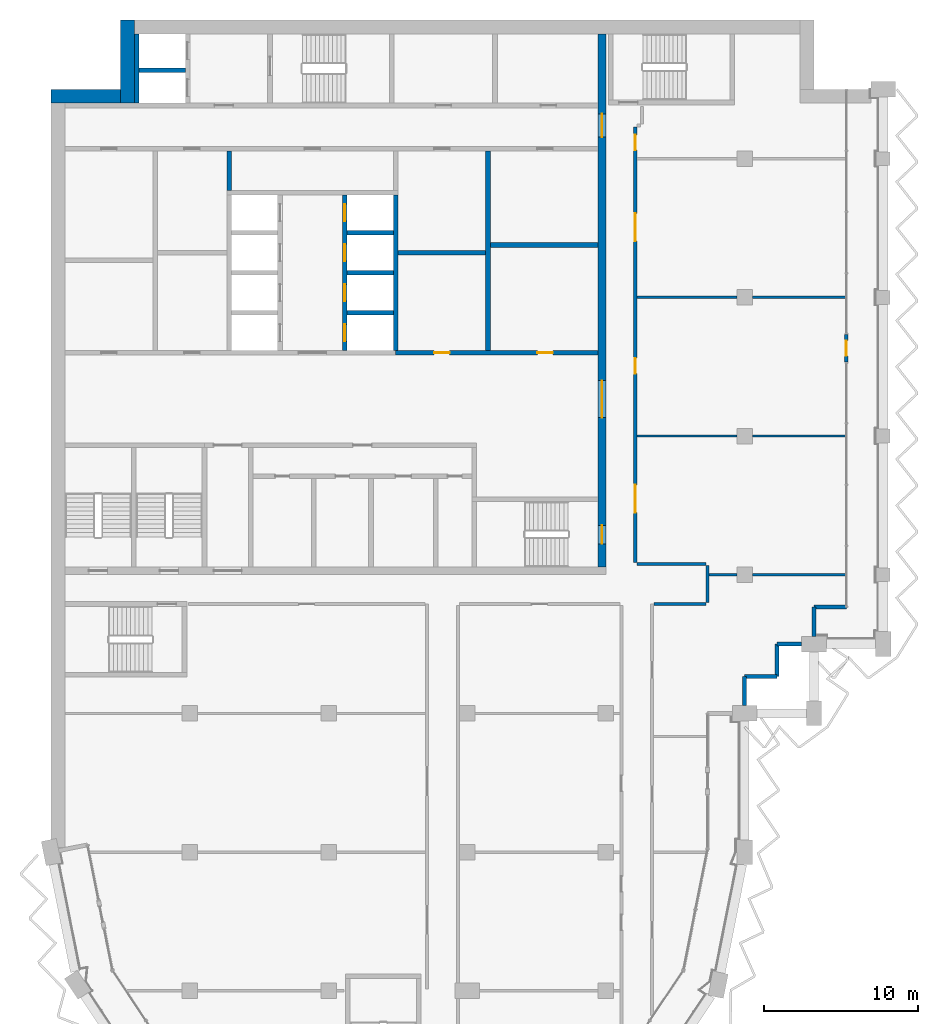
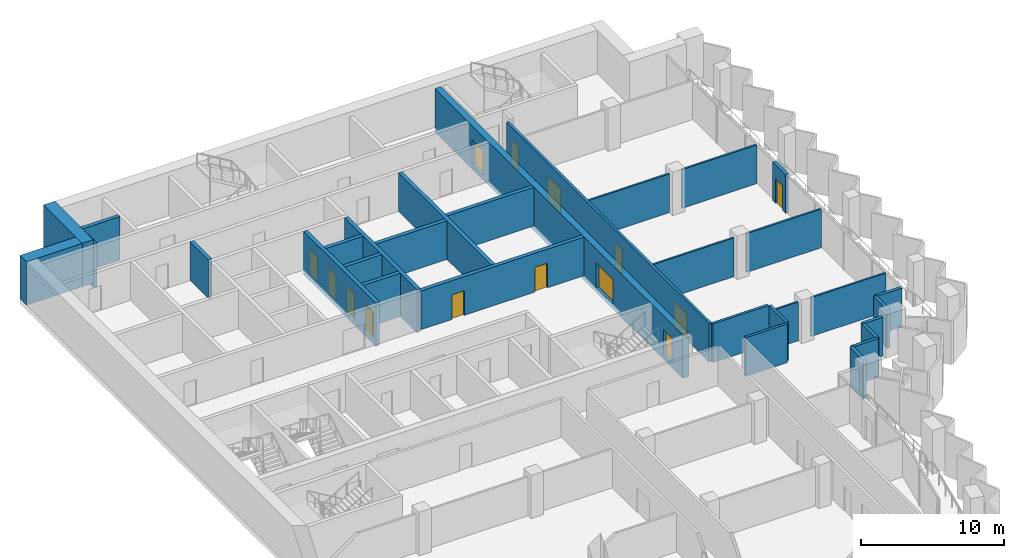
# One storey, part 9 of 16: 32 walls, 14 doors, 14 openings.
"""IFC4 building model written with IfcOpenShell, lengths in metres."""

import ifcopenshell
import ifcopenshell.guid

model = None  # the IFC model being written
_history = None  # IfcOwnerHistory: only IFC2X3 demands one
_inside = {}  # id of a spatial element -> (the spatial element, [elements in it])
_under = {}  # id of a project, library or spatial element -> (it, [spatial elements below it])
_declared = {}  # id of a project -> (the project, [libraries it declares])
_typed = {}  # id of a type object -> (the type object, [elements of that type])
_made_of = {}  # id of a material, layer set ... -> (it, [elements and type objects made of it])


def new_model(schema):
    """Start an empty IFC model of exactly this schema.

    Asked for "IFC4X3", IfcOpenShell would pick the latest addendum, in which some entities
    have other attributes; the version numbers below select the first issue.
    IFC2X3 requires an IfcOwnerHistory on every rooted entity: one is made here for all.
    """
    global model, _history
    if schema == "IFC4X3":
        model = ifcopenshell.file(schema_version=(4, 3, 0, 0))
    else:
        model = ifcopenshell.file(schema=schema)
    _inside.clear()
    _under.clear()
    _declared.clear()
    _typed.clear()
    _made_of.clear()
    _history = None
    if model.schema == "IFC2X3":
        org = make("IfcOrganization", Name="unknown")
        user = make(
            "IfcPersonAndOrganization",
            ThePerson=make("IfcPerson", FamilyName="unknown"),
            TheOrganization=org,
        )
        app = make(
            "IfcApplication",
            ApplicationDeveloper=org,
            Version="unknown",
            ApplicationFullName="unknown",
            ApplicationIdentifier="unknown",
        )
        _history = make(
            "IfcOwnerHistory",
            OwningUser=user,
            OwningApplication=app,
            ChangeAction="ADDED",
            CreationDate=0,
        )
    return model


def make(cls, **values):
    """One entity of the class cls with the attributes given. An attribute that is None is left unset."""
    return model.create_entity(
        cls, **{name: value for name, value in values.items() if value is not None}
    )


def rooted(cls, **values):
    """An entity with a GlobalId (a new one), such as an element, a storey or a relation."""
    return make(cls, GlobalId=ifcopenshell.guid.new(), OwnerHistory=_history, **values)


def si_unit(unit_type, name, prefix=None):
    """IfcSIUnit, for example si_unit("LENGTHUNIT", "METRE", prefix="MILLI")."""
    return make("IfcSIUnit", UnitType=unit_type, Prefix=prefix, Name=name)


def assignment(units):
    """IfcUnitAssignment: the units of a project."""
    return None if units is None else make("IfcUnitAssignment", Units=units)


def point(xyz):
    """IfcCartesianPoint."""
    return None if xyz is None else make("IfcCartesianPoint", Coordinates=xyz)


def direction(xyz):
    """IfcDirection."""
    return None if xyz is None else make("IfcDirection", DirectionRatios=xyz)


def frame(location, z_axis=None, x_axis=None):
    """IfcAxis2Placement3D, a coordinate frame: its origin and axes. An axis left out is left unset."""
    return make(
        "IfcAxis2Placement3D",
        Location=point(location),
        Axis=direction(z_axis),
        RefDirection=direction(x_axis),
    )


def frame_2d(location, x_axis=None):
    """IfcAxis2Placement2D, a coordinate frame in the plane: its origin and x axis."""
    return make(
        "IfcAxis2Placement2D", Location=point(location), RefDirection=direction(x_axis)
    )


def origin():
    """The frame at (0, 0, 0) with its axes left unset."""
    return frame((0.0, 0.0, 0.0))


def place(relative_to, where):
    """IfcLocalPlacement: puts the frame where relative to a parent placement (None: the world)."""
    return make(
        "IfcLocalPlacement", PlacementRelTo=relative_to, RelativePlacement=where
    )


def context(
    kind, dimensions, precision=None, world=None, true_north=None, identifier=None
):
    """IfcGeometricRepresentationContext, for example the 3D "Model" context."""
    return make(
        "IfcGeometricRepresentationContext",
        ContextIdentifier=identifier,
        ContextType=kind,
        CoordinateSpaceDimension=dimensions,
        Precision=precision,
        WorldCoordinateSystem=world,
        TrueNorth=true_north,
    )


def subcontext(parent, identifier, kind, view, scale=None):
    """IfcGeometricRepresentationSubContext, for example "Body" below "Model"."""
    return make(
        "IfcGeometricRepresentationSubContext",
        ContextIdentifier=identifier,
        ContextType=kind,
        ParentContext=parent,
        TargetScale=scale,
        TargetView=view,
    )


def project(units=None, contexts=None):
    """IfcProject with its units and contexts."""
    return rooted(
        "IfcProject",
        Name="project",
        RepresentationContexts=contexts,
        UnitsInContext=assignment(units),
    )


def spatial(cls, under=None, at=None, **own):
    """A site, building, storey or space (cls), placed at a placement, below another one or the project."""
    s = rooted(cls, ObjectPlacement=at, **own)
    if under is not None:
        _under.setdefault(under.id(), (under, []))[1].append(s)
    return s


def profile(cls, at=None, kind="AREA", **sizes):
    """A parametric profile (cls). Its sizes go by their IFC names, for example OverallWidth=200.0."""
    return make(cls, ProfileType=kind, Position=at, **sizes)


def rectangle(**sizes):
    """IfcRectangleProfileDef."""
    return profile("IfcRectangleProfileDef", **sizes)


def extrude(swept, where, along, depth):
    """IfcExtrudedAreaSolid: the profile swept, set in the frame where, extruded along a direction by depth."""
    return make(
        "IfcExtrudedAreaSolid",
        SweptArea=swept,
        Position=where,
        ExtrudedDirection=direction(along),
        Depth=depth,
    )


def shape(context_of_items, identifier, shape_type, items):
    """IfcShapeRepresentation: the items that make up one representation, for example the "Body"."""
    return make(
        "IfcShapeRepresentation",
        ContextOfItems=context_of_items,
        RepresentationIdentifier=identifier,
        RepresentationType=shape_type,
        Items=items,
    )


def material(Name=None, Category=None):
    """IfcMaterial."""
    return make("IfcMaterial", Name=Name, Category=Category)


def layer(
    of_material, thickness, ventilated=None, Name=None, Category=None, Priority=None
):
    """IfcMaterialLayer: one layer of a wall or slab, of a material (None: an air gap)."""
    return make(
        "IfcMaterialLayer",
        Material=of_material,
        LayerThickness=thickness,
        IsVentilated=ventilated,
        Name=Name,
        Category=Category,
        Priority=Priority,
    )


def layer_set(layers, Name=None):
    """IfcMaterialLayerSet."""
    return make("IfcMaterialLayerSet", MaterialLayers=layers, LayerSetName=Name)


def made_of(thing, what):
    """Note that an element or type object is made of a material, layer set ...; save() writes the relation."""
    if what is not None:
        _made_of.setdefault(what.id(), (what, []))[1].append(thing)
    return thing


def type_object(cls, material=None, **own):
    """A type object (cls), such as IfcWallType, which elements share."""
    return made_of(rooted(cls, **own), material)


def element(
    cls,
    number,
    at=None,
    inside=None,
    cuts=None,
    type_object=None,
    material=None,
    context=None,
    identifier="Body",
    shape_type=None,
    held_by="IfcProductDefinitionShape",
    body=None,
    shapes=None,
    **own,
):
    """One element of the class cls, such as IfcWall. Its Tag is "e" and its number.

    at: its placement. inside: the storey or other place that contains it. cuts: it is an
    opening in that element (IfcRelVoidsElement). A single representation is given by context,
    identifier, shape_type and body (its items); several are given by shapes. held_by: the class
    of the entity that holds the representations. save() writes the other relations.
    """
    e = rooted(cls, Tag="e%d" % number, ObjectPlacement=at, **own)
    if body is not None:
        shapes = [shape(context, identifier, shape_type, body)]
    if shapes is not None:
        e.Representation = make(held_by, Representations=shapes)
    if inside is not None:
        _inside.setdefault(inside.id(), (inside, []))[1].append(e)
    if cuts is not None:
        rooted(
            "IfcRelVoidsElement", RelatingBuildingElement=cuts, RelatedOpeningElement=e
        )
    if type_object is not None:
        _typed.setdefault(type_object.id(), (type_object, []))[1].append(e)
    return made_of(e, material)


def fill(opening, filler):
    """IfcRelFillsElement: the door or window that sits in an opening."""
    return rooted(
        "IfcRelFillsElement",
        RelatingOpeningElement=opening,
        RelatedBuildingElement=filler,
    )


def aggregate(whole, parts):
    """IfcRelAggregates: a whole, such as a stair, and the parts it consists of."""
    return rooted("IfcRelAggregates", RelatingObject=whole, RelatedObjects=parts)


def save(model, path):
    """Write the relations noted so far, then the file.

    IfcRelAggregates (storeys below a building ...), IfcRelContainedInSpatialStructure (elements
    in a storey), IfcRelDefinesByType, IfcRelAssociatesMaterial and IfcRelDeclares: one each for
    every whole, place, type object, material and project.
    """
    for whole, parts in _under.values():
        aggregate(whole, parts)
    for where, things in _inside.values():
        rooted(
            "IfcRelContainedInSpatialStructure",
            RelatedElements=things,
            RelatingStructure=where,
        )
    for kind, things in _typed.values():
        rooted("IfcRelDefinesByType", RelatedObjects=things, RelatingType=kind)
    for what, things in _made_of.values():
        rooted("IfcRelAssociatesMaterial", RelatedObjects=things, RelatingMaterial=what)
    for by, libraries in _declared.values():
        rooted("IfcRelDeclares", RelatingContext=by, RelatedDefinitions=libraries)
    model.write(path)


model = new_model("IFC4")

# Units and contexts
model_context = context("Model", 3, precision=1e-05, world=origin(), true_north=direction((0.0, 1.0)))
body_context = subcontext(model_context, "Body", "Model", "MODEL_VIEW")
ifc_project = project(units=[si_unit("LENGTHUNIT", "METRE"), si_unit("AREAUNIT", "SQUARE_METRE"), si_unit("VOLUMEUNIT", "CUBIC_METRE"), si_unit("PLANEANGLEUNIT", "RADIAN"), si_unit("MASSUNIT", "GRAM", prefix="KILO")], contexts=[model_context])

# Site, building, storey
site_placement = place(None, origin())
site = spatial("IfcSite", under=ifc_project, at=site_placement, CompositionType="ELEMENT")
building_placement = place(site_placement, origin())
building = spatial("IfcBuilding", under=site, at=building_placement, Name="Hunhe Ridgeline Campus", CompositionType="ELEMENT")
storey_placement = place(building_placement, frame((0.0, 0.0, 239.199951171875)))
storey = spatial("IfcBuildingStorey", under=building, at=storey_placement, Name="L61", CompositionType="ELEMENT", Elevation=239.199951171875)

# Wall, openings, doors
ifc_material_1 = material(Name="Masonry concrete blockwork", Category="masonry")
ifc_layer_1 = layer(ifc_material_1, 0.300048828125)
ifc_layer_set_1 = layer_set([ifc_layer_1], Name="Core room partition 300 concrete block")
wall_type_1 = type_object("IfcWallType", Name="Core room partition 300 concrete block", PredefinedType="PARTITIONING", material=ifc_layer_set_1)
wall_1_placement = place(storey_placement, frame((22.35009765625, 77.39990234375, 0.0), z_axis=(0.0, 0.0, 1.0), x_axis=(1.0, 0.0, 0.0)))
wall_1 = element("IfcWall", 1, at=wall_1_placement, inside=storey, type_object=wall_type_1, Name="L61 core partition 11", PredefinedType="PARTITIONING", context=body_context, shape_type="SweptSolid", body=[
    extrude(rectangle(XDim=13.14990234375, YDim=0.300048828125, at=frame_2d((6.574951171875, 0.0))), origin(), (0.0, 0.0, 1.0), 3.300048828125),
])
opening_1_placement = place(wall_1_placement, frame((2.5, 0.0, 0.0)))
opening_1 = element("IfcOpeningElement", 2, at=opening_1_placement, cuts=wall_1, Name="Opening CD32", PredefinedType="OPENING", context=body_context, shape_type="SweptSolid", body=[
    extrude(rectangle(XDim=1.0, YDim=2.10009765625, at=frame_2d((0.5, 1.050048828125))), frame((0.0, 0.14990234375, 0.0), z_axis=(0.0, -1.0, 0.0), x_axis=(1.0, 0.0, 0.0)), (0.0, 0.0, 1.0), 0.300048828125),
])
opening_2_placement = place(wall_1_placement, frame((9.199951171875, 0.0, 0.0)))
opening_2 = element("IfcOpeningElement", 3, at=opening_2_placement, cuts=wall_1, Name="Opening CD42", PredefinedType="OPENING", context=body_context, shape_type="SweptSolid", body=[
    extrude(rectangle(XDim=1.0, YDim=2.10009765625, at=frame_2d((0.5, 1.050048828125))), frame((0.0, 0.14990234375, 0.0), z_axis=(0.0, -1.0, 0.0), x_axis=(1.0, 0.0, 0.0)), (0.0, 0.0, 1.0), 0.300048828125),
])
ifc_material_2 = material(Name="Solid core timber door leaf", Category="wood")
door_type_1 = type_object("IfcDoorType", Name="Timber door 1000x2100", OperationType="SINGLE_SWING_LEFT", PredefinedType="DOOR", material=ifc_material_2)
door_1_placement = place(opening_1_placement, origin())
door_1 = element("IfcDoor", 4, at=door_1_placement, inside=storey, type_object=door_type_1, Name="L61 door ES0", OperationType="SINGLE_SWING_LEFT", OverallHeight=2.10009765625, OverallWidth=1.0, PredefinedType="DOOR", context=body_context, shape_type="SweptSolid", body=[
    extrude(rectangle(XDim=1.0, YDim=2.10009765625, at=frame_2d((0.5, 1.050048828125))), frame((0.0, 0.02490234375, 0.0), z_axis=(0.0, -1.0, 0.0), x_axis=(1.0, 0.0, 0.0)), (0.0, 0.0, 1.0), 0.050048828125),
])
fill(opening_1, door_1)
door_2_placement = place(opening_2_placement, origin())
door_2 = element("IfcDoor", 5, at=door_2_placement, inside=storey, type_object=door_type_1, Name="L61 door ES2", OperationType="SINGLE_SWING_LEFT", OverallHeight=2.10009765625, OverallWidth=1.0, PredefinedType="DOOR", context=body_context, shape_type="SweptSolid", body=[
    extrude(rectangle(XDim=1.0, YDim=2.10009765625, at=frame_2d((0.5, 1.050048828125))), frame((0.0, 0.02490234375, 0.0), z_axis=(0.0, -1.0, 0.0), x_axis=(1.0, 0.0, 0.0)), (0.0, 0.0, 1.0), 0.050048828125),
])
fill(opening_2, door_2)

# Walls
wall_2_placement = place(storey_placement, frame((22.5, 83.89990234375, 0.0), z_axis=(0.0, 0.0, 1.0), x_axis=(1.0, 0.0, 0.0)))
element("IfcWall", 6, at=wall_2_placement, inside=storey, type_object=wall_type_1, Name="L61 core partition 18", PredefinedType="PARTITIONING", context=body_context, shape_type="SweptSolid", body=[
    extrude(rectangle(XDim=5.699951171875, YDim=0.300048828125, at=frame_2d((2.85009765625, 0.0))), origin(), (0.0, 0.0, 1.0), 3.300048828125),
])
wall_3_placement = place(storey_placement, frame((28.5, 84.39990234375, 0.0), z_axis=(0.0, 0.0, 1.0), x_axis=(1.0, 0.0, 0.0)))
element("IfcWall", 7, at=wall_3_placement, inside=storey, type_object=wall_type_1, Name="L61 core partition 19", PredefinedType="PARTITIONING", context=body_context, shape_type="SweptSolid", body=[
    extrude(rectangle(XDim=7.0, YDim=0.300048828125, at=frame_2d((3.5, 0.0))), origin(), (0.0, 0.0, 1.0), 3.300048828125),
])
wall_4_placement = place(storey_placement, frame((11.550048828125, 87.949951171875, 0.0), z_axis=(0.0, 0.0, 1.0), x_axis=(0.0, 1.0, 0.0)))
element("IfcWall", 8, at=wall_4_placement, inside=storey, type_object=wall_type_1, Name="L61 core partition 34", PredefinedType="PARTITIONING", context=body_context, shape_type="SweptSolid", body=[
    extrude(rectangle(XDim=2.550048828125, YDim=0.300048828125, at=frame_2d((1.27490234375, 0.0))), origin(), (0.0, 0.0, 1.0), 3.300048828125),
])
wall_5_placement = place(storey_placement, frame((28.35009765625, 77.550048828125, 0.0), z_axis=(0.0, 0.0, 1.0), x_axis=(0.0, 1.0, 0.0)))
element("IfcWall", 9, at=wall_5_placement, inside=storey, type_object=wall_type_1, Name="L61 core partition 49", PredefinedType="PARTITIONING", context=body_context, shape_type="SweptSolid", body=[
    extrude(rectangle(XDim=12.949951171875, YDim=0.300048828125, at=frame_2d((6.47509765625, 0.0))), origin(), (0.0, 0.0, 1.0), 3.300048828125),
])

# Wall, openings, doors
ifc_material_3 = material(Name="Concrete C50", Category="concrete")
ifc_layer_2 = layer(ifc_material_3, 0.5)
ifc_layer_set_2 = layer_set([ifc_layer_2], Name="Core wall 500 reinforced concrete C50")
wall_type_2 = type_object("IfcWallType", Name="Core wall 500 reinforced concrete C50", PredefinedType="SOLIDWALL", material=ifc_layer_set_2)
wall_6_placement = place(storey_placement, frame((35.75, 63.5, -0.39990234375), z_axis=(0.0, 0.0, 1.0), x_axis=(0.0, 1.0, 0.0)))
wall_6 = element("IfcWall", 10, at=wall_6_placement, inside=storey, type_object=wall_type_2, Name="L61 core wall 51", PredefinedType="SOLIDWALL", context=body_context, shape_type="SweptSolid", body=[
    extrude(rectangle(XDim=34.60009765625, YDim=0.5, at=frame_2d((17.300048828125, 0.0))), origin(), (0.0, 0.0, 1.0), 3.699951171875),
])
opening_3_placement = place(wall_6_placement, frame((9.699951171875, 0.0, 0.39990234375)))
opening_3 = element("IfcOpeningElement", 11, at=opening_3_placement, cuts=wall_6, Name="Opening CD4", PredefinedType="OPENING", context=body_context, shape_type="SweptSolid", body=[
    extrude(rectangle(XDim=2.39990234375, YDim=2.10009765625, at=frame_2d((1.199951171875, 1.050048828125))), frame((0.0, 0.25, 0.0), z_axis=(0.0, -1.0, 0.0), x_axis=(1.0, 0.0, 0.0)), (0.0, 0.0, 1.0), 0.5),
])
opening_4_placement = place(wall_6_placement, frame((27.89990234375, 0.0, 0.39990234375)))
opening_4 = element("IfcOpeningElement", 12, at=opening_4_placement, cuts=wall_6, Name="Opening CD5", PredefinedType="OPENING", context=body_context, shape_type="SweptSolid", body=[
    extrude(rectangle(XDim=1.5, YDim=2.10009765625, at=frame_2d((0.75, 1.050048828125))), frame((0.0, 0.25, 0.0), z_axis=(0.0, -1.0, 0.0), x_axis=(1.0, 0.0, 0.0)), (0.0, 0.0, 1.0), 0.5),
])
opening_5_placement = place(wall_6_placement, frame((1.5, 0.0, 0.39990234375)))
opening_5 = element("IfcOpeningElement", 13, at=opening_5_placement, cuts=wall_6, Name="Opening CD15", PredefinedType="OPENING", context=body_context, shape_type="SweptSolid", body=[
    extrude(rectangle(XDim=1.199951171875, YDim=2.10009765625, at=frame_2d((0.60009765625, 1.050048828125))), frame((0.0, 0.25, 0.0), z_axis=(0.0, -1.0, 0.0), x_axis=(1.0, 0.0, 0.0)), (0.0, 0.0, 1.0), 0.5),
])
ifc_material_4 = material(Name="Anodised aluminium and glass", Category="aluminium")
door_type_2 = type_object("IfcDoorType", Name="Glazed double door 2400x2100", OperationType="DOUBLE_DOOR_SINGLE_SWING", PredefinedType="DOOR", material=ifc_material_4)
door_3_placement = place(opening_3_placement, frame((2.39990234375, 0.0, 0.0), z_axis=(0.0, 0.0, 1.0), x_axis=(-1.0, 0.0, 0.0)))
door_3 = element("IfcDoor", 14, at=door_3_placement, inside=storey, type_object=door_type_2, Name="L61 door HALL-FLOOR", OperationType="DOUBLE_DOOR_SINGLE_SWING", OverallHeight=2.10009765625, OverallWidth=2.39990234375, PredefinedType="DOOR", context=body_context, shape_type="SweptSolid", body=[
    extrude(rectangle(XDim=2.39990234375, YDim=2.10009765625, at=frame_2d((1.199951171875, 1.050048828125))), frame((0.0, 0.02490234375, 0.0), z_axis=(0.0, -1.0, 0.0), x_axis=(1.0, 0.0, 0.0)), (0.0, 0.0, 1.0), 0.050048828125),
])
fill(opening_3, door_3)
ifc_material_5 = material(Name="Hollow metal fire door leaf")
door_type_3 = type_object("IfcDoorType", Name="Stair door 1200x2100 FD60", OperationType="SINGLE_SWING_LEFT", PredefinedType="DOOR", material=ifc_material_5)
door_4_placement = place(opening_5_placement, frame((1.199951171875, 0.0, 0.0), z_axis=(0.0, 0.0, 1.0), x_axis=(-1.0, 0.0, 0.0)))
door_4 = element("IfcDoor", 15, at=door_4_placement, inside=storey, type_object=door_type_3, Name="L61 door S2-FLOOR", OperationType="SINGLE_SWING_LEFT", OverallHeight=2.10009765625, OverallWidth=1.199951171875, PredefinedType="DOOR", context=body_context, shape_type="SweptSolid", body=[
    extrude(rectangle(XDim=1.199951171875, YDim=2.10009765625, at=frame_2d((0.60009765625, 1.050048828125))), frame((0.0, 0.02490234375, 0.0), z_axis=(0.0, -1.0, 0.0), x_axis=(1.0, 0.0, 0.0)), (0.0, 0.0, 1.0), 0.050048828125),
])
fill(opening_5, door_4)
door_type_4 = type_object("IfcDoorType", Name="Timber door 1500x2100", OperationType="SINGLE_SWING_LEFT", PredefinedType="DOOR", material=ifc_material_2)
door_5_placement = place(opening_4_placement, frame((1.5, 0.0, 0.0), z_axis=(0.0, 0.0, 1.0), x_axis=(-1.0, 0.0, 0.0)))
door_5 = element("IfcDoor", 16, at=door_5_placement, inside=storey, type_object=door_type_4, Name="L61 door C1-FLOOR", OperationType="SINGLE_SWING_LEFT", OverallHeight=2.10009765625, OverallWidth=1.5, PredefinedType="DOOR", context=body_context, shape_type="SweptSolid", body=[
    extrude(rectangle(XDim=1.5, YDim=2.10009765625, at=frame_2d((0.75, 1.050048828125))), frame((0.0, 0.02490234375, 0.0), z_axis=(0.0, -1.0, 0.0), x_axis=(1.0, 0.0, 0.0)), (0.0, 0.0, 1.0), 0.050048828125),
])
fill(opening_4, door_5)

# Walls
ifc_material_6 = material(Name="Concrete C30", Category="concrete")
ifc_layer_3 = layer(ifc_material_6, 0.25)
ifc_layer_set_3 = layer_set([ifc_layer_3], Name="Corner return wall 250 Concrete C30")
wall_type_3 = type_object("IfcWallType", Name="Corner return wall 250 Concrete C30", PredefinedType="SOLIDWALL", material=ifc_layer_set_3)
wall_7_placement = place(storey_placement, frame((44.9990234375, 54.5, 0.0), z_axis=(0.0, 0.0, 1.0), x_axis=(0.000128452151, 0.99999999175, 0.0)))
element("IfcWall", 17, at=wall_7_placement, inside=storey, type_object=wall_type_3, Name="Corner return wall 3", PredefinedType="SOLIDWALL", context=body_context, shape_type="SweptSolid", body=[
    extrude(rectangle(XDim=1.900634765625, YDim=0.25, at=frame_2d((0.9501953125, 0.0))), origin(), (0.0, 0.0, 1.0), 3.300048828125),
])
wall_8_placement = place(storey_placement, frame((44.999267578125, 56.400634765625, 0.0), z_axis=(0.0, 0.0, 1.0), x_axis=(0.999999993241, 0.00011626555, 0.0)))
element("IfcWall", 18, at=wall_8_placement, inside=storey, type_object=wall_type_3, Name="Corner return wall 4", PredefinedType="SOLIDWALL", context=body_context, shape_type="SweptSolid", body=[
    extrude(rectangle(XDim=2.099853515625, YDim=0.25, at=frame_2d((1.0498046875, 0.0))), origin(), (0.0, 0.0, 1.0), 3.300048828125),
])
wall_9_placement = place(storey_placement, frame((47.09912109375, 56.40087890625, 0.0), z_axis=(0.0, 0.0, 1.0), x_axis=(0.000232504063, 0.999999972971, 0.0)))
element("IfcWall", 19, at=wall_9_placement, inside=storey, type_object=wall_type_3, Name="Corner return wall 5", PredefinedType="SOLIDWALL", context=body_context, shape_type="SweptSolid", body=[
    extrude(rectangle(XDim=2.10009765625, YDim=0.25, at=frame_2d((1.050048828125, 0.0))), origin(), (0.0, 0.0, 1.0), 3.300048828125),
])
wall_10_placement = place(storey_placement, frame((47.099609375, 58.5009765625, 0.0), z_axis=(0.0, 0.0, 1.0), x_axis=(1.0, 0.0, 0.0)))
element("IfcWall", 20, at=wall_10_placement, inside=storey, type_object=wall_type_3, Name="Corner return wall 6", PredefinedType="SOLIDWALL", context=body_context, shape_type="SweptSolid", body=[
    extrude(rectangle(XDim=1.600341796875, YDim=0.25, at=frame_2d((0.80029296875, 0.0))), origin(), (0.0, 0.0, 1.0), 3.300048828125),
])
wall_11_placement = place(storey_placement, frame((49.4990234375, 59.0, 0.0), z_axis=(0.0, 0.0, 1.0), x_axis=(0.000256871299, 0.999999967009, 0.0)))
element("IfcWall", 21, at=wall_11_placement, inside=storey, type_object=wall_type_3, Name="Corner return wall 7", PredefinedType="SOLIDWALL", context=body_context, shape_type="SweptSolid", body=[
    extrude(rectangle(XDim=1.90087890625, YDim=0.25, at=frame_2d((0.950439453125, 0.0))), origin(), (0.0, 0.0, 1.0), 3.300048828125),
])
wall_12_placement = place(storey_placement, frame((49.49951171875, 60.90087890625, 0.0), z_axis=(0.0, 0.0, 1.0), x_axis=(1.0, 0.0, 0.0)))
element("IfcWall", 22, at=wall_12_placement, inside=storey, type_object=wall_type_3, Name="Corner return wall 8", PredefinedType="SOLIDWALL", context=body_context, shape_type="SweptSolid", body=[
    extrude(rectangle(XDim=2.099609375, YDim=0.25, at=frame_2d((1.0498046875, 0.0))), origin(), (0.0, 0.0, 1.0), 3.300048828125),
])
ifc_material_7 = material(Name="Gypsum board partition")
ifc_layer_4 = layer(ifc_material_7, 0.199951171875)
ifc_layer_set_4 = layer_set([ifc_layer_4], Name="Corridor partition 200 gypsum board on steel studs")
wall_type_4 = type_object("IfcWallType", Name="Corridor partition 200 gypsum board on steel studs", PredefinedType="PARTITIONING", material=ifc_layer_set_4)
wall_13_placement = place(storey_placement, frame((42.5, 61.10009765625, 0.0), z_axis=(0.0, 0.0, 1.0), x_axis=(-1.0, 0.0, 0.0)))
element("IfcWall", 23, at=wall_13_placement, inside=storey, type_object=wall_type_4, Name="F-L61-wall-021", PredefinedType="PARTITIONING", context=body_context, shape_type="SweptSolid", body=[
    extrude(rectangle(XDim=3.36865234375, YDim=0.199951171875, at=frame_2d((1.684326171875, 0.0))), origin(), (0.0, 0.0, 1.0), 3.300048828125),
])
wall_14_placement = place(storey_placement, frame((38.0, 63.699951171875, 0.0), z_axis=(0.0, 0.0, 1.0), x_axis=(1.0, 0.0, 0.0)))
element("IfcWall", 24, at=wall_14_placement, inside=storey, type_object=wall_type_4, Name="F-L61-wall-024", PredefinedType="PARTITIONING", context=body_context, shape_type="SweptSolid", body=[
    extrude(rectangle(XDim=4.5, YDim=0.199951171875, at=frame_2d((2.25, 0.0))), origin(), (0.0, 0.0, 1.0), 3.300048828125),
])

# Wall, openings, doors
wall_15_placement = place(storey_placement, frame((37.89990234375, 92.050048828125, 0.0), z_axis=(0.0, 0.0, 1.0), x_axis=(0.0, -1.0, 0.0)))
wall_15 = element("IfcWall", 25, at=wall_15_placement, inside=storey, type_object=wall_type_4, Name="F-L61-wall-038", PredefinedType="PARTITIONING", context=body_context, shape_type="SweptSolid", body=[
    extrude(rectangle(XDim=28.25, YDim=0.199951171875, at=frame_2d((14.125, 0.0))), origin(), (0.0, 0.0, 1.0), 3.300048828125),
])
opening_6_placement = place(wall_15_placement, frame((23.22509765625, 0.0, 0.0)))
opening_6 = element("IfcOpeningElement", 26, at=opening_6_placement, cuts=wall_15, Name="Opening RD2-013", PredefinedType="OPENING", context=body_context, shape_type="SweptSolid", body=[
    extrude(rectangle(XDim=1.800048828125, YDim=2.10009765625, at=frame_2d((0.89990234375, 1.050048828125))), frame((0.0, 0.10009765625, 0.0), z_axis=(0.0, -1.0, 0.0), x_axis=(1.0, 0.0, 0.0)), (0.0, 0.0, 1.0), 0.199951171875),
])
opening_7_placement = place(wall_15_placement, frame((15.0, 0.0, 0.0)))
opening_7 = element("IfcOpeningElement", 27, at=opening_7_placement, cuts=wall_15, Name="Opening RD1-014", PredefinedType="OPENING", context=body_context, shape_type="SweptSolid", body=[
    extrude(rectangle(XDim=1.0, YDim=2.10009765625, at=frame_2d((0.5, 1.050048828125))), frame((0.0, 0.10009765625, 0.0), z_axis=(0.0, -1.0, 0.0), x_axis=(1.0, 0.0, 0.0)), (0.0, 0.0, 1.0), 0.199951171875),
])
opening_8_placement = place(wall_15_placement, frame((5.60009765625, 0.0, 0.0)))
opening_8 = element("IfcOpeningElement", 28, at=opening_8_placement, cuts=wall_15, Name="Opening RD2-015", PredefinedType="OPENING", context=body_context, shape_type="SweptSolid", body=[
    extrude(rectangle(XDim=1.800048828125, YDim=2.10009765625, at=frame_2d((0.89990234375, 1.050048828125))), frame((0.0, 0.10009765625, 0.0), z_axis=(0.0, -1.0, 0.0), x_axis=(1.0, 0.0, 0.0)), (0.0, 0.0, 1.0), 0.199951171875),
])
opening_9_placement = place(wall_15_placement, frame((0.5, 0.0, 0.0)))
opening_9 = element("IfcOpeningElement", 29, at=opening_9_placement, cuts=wall_15, Name="Opening RD1-016", PredefinedType="OPENING", context=body_context, shape_type="SweptSolid", body=[
    extrude(rectangle(XDim=1.0, YDim=2.10009765625, at=frame_2d((0.5, 1.050048828125))), frame((0.0, 0.10009765625, 0.0), z_axis=(0.0, -1.0, 0.0), x_axis=(1.0, 0.0, 0.0)), (0.0, 0.0, 1.0), 0.199951171875),
])
ifc_material_8 = material(Name="Timber door leaf", Category="wood")
door_type_5 = type_object("IfcDoorType", Name="Double fire door 1800x2100 timber FD60", OperationType="DOUBLE_DOOR_SINGLE_SWING", PredefinedType="DOOR", material=ifc_material_8)
door_6_placement = place(opening_6_placement, origin())
door_6 = element("IfcDoor", 30, at=door_6_placement, inside=storey, type_object=door_type_5, Name="F-L61-door-013", OperationType="DOUBLE_DOOR_SINGLE_SWING", OverallHeight=2.10009765625, OverallWidth=1.800048828125, PredefinedType="DOOR", context=body_context, shape_type="SweptSolid", body=[
    extrude(rectangle(XDim=1.800048828125, YDim=2.10009765625, at=frame_2d((0.89990234375, 1.050048828125))), frame((0.0, 0.02490234375, 0.0), z_axis=(0.0, -1.0, 0.0), x_axis=(1.0, 0.0, 0.0)), (0.0, 0.0, 1.0), 0.050048828125),
])
fill(opening_6, door_6)
door_7_placement = place(opening_8_placement, origin())
door_7 = element("IfcDoor", 31, at=door_7_placement, inside=storey, type_object=door_type_5, Name="F-L61-door-015", OperationType="DOUBLE_DOOR_SINGLE_SWING", OverallHeight=2.10009765625, OverallWidth=1.800048828125, PredefinedType="DOOR", context=body_context, shape_type="SweptSolid", body=[
    extrude(rectangle(XDim=1.800048828125, YDim=2.10009765625, at=frame_2d((0.89990234375, 1.050048828125))), frame((0.0, 0.02490234375, 0.0), z_axis=(0.0, -1.0, 0.0), x_axis=(1.0, 0.0, 0.0)), (0.0, 0.0, 1.0), 0.050048828125),
])
fill(opening_8, door_7)
door_type_6 = type_object("IfcDoorType", Name="Single fire door 1000x2100 timber FD60", OperationType="NOTDEFINED", PredefinedType="DOOR", material=ifc_material_8)
door_8_placement = place(opening_7_placement, origin())
door_8 = element("IfcDoor", 32, at=door_8_placement, inside=storey, type_object=door_type_6, Name="F-L61-door-014", OperationType="SINGLE_SWING_LEFT", OverallHeight=2.10009765625, OverallWidth=1.0, PredefinedType="DOOR", context=body_context, shape_type="SweptSolid", body=[
    extrude(rectangle(XDim=1.0, YDim=2.10009765625, at=frame_2d((0.5, 1.050048828125))), frame((0.0, 0.02490234375, 0.0), z_axis=(0.0, -1.0, 0.0), x_axis=(1.0, 0.0, 0.0)), (0.0, 0.0, 1.0), 0.050048828125),
])
fill(opening_7, door_8)
door_9_placement = place(opening_9_placement, origin())
door_9 = element("IfcDoor", 33, at=door_9_placement, inside=storey, type_object=door_type_6, Name="F-L61-door-016", OperationType="SINGLE_SWING_LEFT", OverallHeight=2.10009765625, OverallWidth=1.0, PredefinedType="DOOR", context=body_context, shape_type="SweptSolid", body=[
    extrude(rectangle(XDim=1.0, YDim=2.10009765625, at=frame_2d((0.5, 1.050048828125))), frame((0.0, 0.02490234375, 0.0), z_axis=(0.0, -1.0, 0.0), x_axis=(1.0, 0.0, 0.0)), (0.0, 0.0, 1.0), 0.050048828125),
])
fill(opening_9, door_9)

# Wall
wall_16_placement = place(storey_placement, frame((42.60009765625, 63.60009765625, 0.0), z_axis=(0.0, 0.0, 1.0), x_axis=(0.0, -1.0, 0.0)))
element("IfcWall", 34, at=wall_16_placement, inside=storey, type_object=wall_type_4, Name="F-L61-wall-041", PredefinedType="PARTITIONING", context=body_context, shape_type="SweptSolid", body=[
    extrude(rectangle(XDim=2.400146484375, YDim=0.199951171875, at=frame_2d((1.2001953125, 0.0))), origin(), (0.0, 0.0, 1.0), 3.300048828125),
])

# Wall, opening, door
ifc_layer_5 = layer(ifc_material_6, 0.25)
ifc_layer_set_5 = layer_set([ifc_layer_5], Name="Loggia door pier wall 250 Concrete C30")
wall_type_5 = type_object("IfcWallType", Name="Loggia door pier wall 250 Concrete C30", PredefinedType="SOLIDWALL", material=ifc_layer_set_5)
wall_17_placement = place(storey_placement, frame((51.59912109375, 76.800537109375, 0.0), z_axis=(0.0, 0.0, 1.0), x_axis=(0.0, 1.0, 0.0)))
wall_17 = element("IfcWall", 35, at=wall_17_placement, inside=storey, type_object=wall_type_5, Name="Loggia door pier 4", PredefinedType="SOLIDWALL", context=body_context, shape_type="SweptSolid", body=[
    extrude(rectangle(XDim=1.800048828125, YDim=0.25, at=frame_2d((0.89990234375, 0.0))), origin(), (0.0, 0.0, 1.0), 3.300048828125),
])
opening_10_placement = place(wall_17_placement, frame((0.39990234375, 0.0, 0.0)))
opening_10 = element("IfcOpeningElement", 36, at=opening_10_placement, cuts=wall_17, Name="Opening BD506", PredefinedType="OPENING", context=body_context, shape_type="SweptSolid", body=[
    extrude(rectangle(XDim=1.0, YDim=2.10009765625, at=frame_2d((0.5, 1.050048828125))), frame((0.0, 0.125, 0.0), z_axis=(0.0, -1.0, 0.0), x_axis=(1.0, 0.0, 0.0)), (0.0, 0.0, 1.0), 0.25),
])
ifc_material_9 = material(Name="Aluminium 6063", Category="aluminium")
door_type_7 = type_object("IfcDoorType", Name="Loggia glazed door 1000x2100", OperationType="NOTDEFINED", PredefinedType="DOOR", material=ifc_material_9)
door_10_placement = place(opening_10_placement, frame((1.0, 0.0, 0.0), z_axis=(0.0, 0.0, 1.0), x_axis=(-1.0, 0.0, 0.0)))
door_10 = element("IfcDoor", 37, at=door_10_placement, inside=storey, type_object=door_type_7, Name="Loggia door BD506", OperationType="SINGLE_SWING_LEFT", OverallHeight=2.10009765625, OverallWidth=1.0, PredefinedType="DOOR", context=body_context, shape_type="SweptSolid", body=[
    extrude(rectangle(XDim=1.0, YDim=2.10009765625, at=frame_2d((0.5, 1.050048828125))), frame((0.0, 0.02490234375, 0.0), z_axis=(0.0, -1.0, 0.0), x_axis=(1.0, 0.0, 0.0)), (0.0, 0.0, 1.0), 0.050048828125),
])
fill(opening_10, door_10)

# Walls
ifc_layer_6 = layer(ifc_material_7, 0.14990234375)
ifc_layer_set_6 = layer_set([ifc_layer_6], Name="Room partition 150 gypsum board on steel studs")
wall_type_6 = type_object("IfcWallType", Name="Room partition 150 gypsum board on steel studs", PredefinedType="PARTITIONING", material=ifc_layer_set_6)
wall_18_placement = place(storey_placement, frame((42.699951171875, 63.0, 0.0), z_axis=(0.0, 0.0, 1.0), x_axis=(1.0, 0.0, 0.0)))
element("IfcWall", 38, at=wall_18_placement, inside=storey, type_object=wall_type_6, Name="F-L61-wall-022", PredefinedType="PARTITIONING", context=body_context, shape_type="SweptSolid", body=[
    extrude(rectangle(XDim=1.800048828125, YDim=0.14990234375, at=frame_2d((0.89990234375, 0.0))), origin(), (0.0, 0.0, 1.0), 3.300048828125),
])
wall_19_placement = place(storey_placement, frame((45.5, 63.0, 0.0), z_axis=(0.0, 0.0, 1.0), x_axis=(1.0, 0.0, 0.0)))
element("IfcWall", 39, at=wall_19_placement, inside=storey, type_object=wall_type_6, Name="F-L61-wall-023", PredefinedType="PARTITIONING", context=body_context, shape_type="SweptSolid", body=[
    extrude(rectangle(XDim=6.044921875, YDim=0.14990234375, at=frame_2d((3.0224609375, 0.0))), origin(), (0.0, 0.0, 1.0), 3.300048828125),
])
wall_20_placement = place(storey_placement, frame((38.0, 72.0, 0.0), z_axis=(0.0, 0.0, 1.0), x_axis=(1.0, 0.0, 0.0)))
element("IfcWall", 40, at=wall_20_placement, inside=storey, type_object=wall_type_6, Name="F-L61-wall-025", PredefinedType="PARTITIONING", context=body_context, shape_type="SweptSolid", body=[
    extrude(rectangle(XDim=6.5, YDim=0.14990234375, at=frame_2d((3.25, 0.0))), origin(), (0.0, 0.0, 1.0), 3.300048828125),
])
wall_21_placement = place(storey_placement, frame((45.5, 72.0, 0.0), z_axis=(0.0, 0.0, 1.0), x_axis=(1.0, 0.0, 0.0)))
element("IfcWall", 41, at=wall_21_placement, inside=storey, type_object=wall_type_6, Name="F-L61-wall-026", PredefinedType="PARTITIONING", context=body_context, shape_type="SweptSolid", body=[
    extrude(rectangle(XDim=6.044921875, YDim=0.14990234375, at=frame_2d((3.0224609375, 0.0))), origin(), (0.0, 0.0, 1.0), 3.300048828125),
])
wall_22_placement = place(storey_placement, frame((38.0, 81.0, 0.0), z_axis=(0.0, 0.0, 1.0), x_axis=(1.0, 0.0, 0.0)))
element("IfcWall", 42, at=wall_22_placement, inside=storey, type_object=wall_type_6, Name="F-L61-wall-027", PredefinedType="PARTITIONING", context=body_context, shape_type="SweptSolid", body=[
    extrude(rectangle(XDim=6.5, YDim=0.14990234375, at=frame_2d((3.25, 0.0))), origin(), (0.0, 0.0, 1.0), 3.300048828125),
])
wall_23_placement = place(storey_placement, frame((45.5, 81.0, 0.0), z_axis=(0.0, 0.0, 1.0), x_axis=(1.0, 0.0, 0.0)))
element("IfcWall", 43, at=wall_23_placement, inside=storey, type_object=wall_type_6, Name="F-L61-wall-028", PredefinedType="PARTITIONING", context=body_context, shape_type="SweptSolid", body=[
    extrude(rectangle(XDim=6.044921875, YDim=0.14990234375, at=frame_2d((3.0224609375, 0.0))), origin(), (0.0, 0.0, 1.0), 3.300048828125),
])
ifc_layer_7 = layer(ifc_material_3, 0.300048828125)
ifc_layer_set_7 = layer_set([ifc_layer_7], Name="Shaft wall 300 reinforced concrete C50")
wall_type_7 = type_object("IfcWallType", Name="Shaft wall 300 reinforced concrete C50", PredefinedType="SOLIDWALL", material=ifc_layer_set_7)
for number, where, z_axis, x_axis, name in (
    (44, (19.199951171875, 80.0, -0.39990234375), (0.0, 0.0, 1.0), (1.0, 0.0, 0.0), "L61 core wall 13"),
    (45, (19.199951171875, 82.60009765625, -0.39990234375), (0.0, 0.0, 1.0), (1.0, 0.0, 0.0), "L61 core wall 15"),
    (46, (19.199951171875, 85.199951171875, -0.39990234375), (0.0, 0.0, 1.0), (1.0, 0.0, 0.0), "L61 core wall 21"),
    (47, (5.699951171875, 95.75, -0.39990234375), (0.0, 0.0, 1.0), (1.0, 0.0, 0.0), "L61 core wall 26"),
):
    element("IfcWall", number, at=place(storey_placement, frame(where, z_axis=z_axis, x_axis=x_axis)), inside=storey, type_object=wall_type_7, Name=name, PredefinedType="SOLIDWALL", context=body_context, shape_type="SweptSolid", body=[
        extrude(rectangle(XDim=3.0, YDim=0.300048828125, at=frame_2d((1.5, 0.0))), origin(), (0.0, 0.0, 1.0), 3.699951171875),
    ])
wall_24_placement = place(storey_placement, frame((5.550048828125, 93.60009765625, -0.39990234375), z_axis=(0.0, 0.0, 1.0), x_axis=(0.0, 1.0, 0.0)))
element("IfcWall", 48, at=wall_24_placement, inside=storey, type_object=wall_type_7, Name="L61 core wall 28", PredefinedType="SOLIDWALL", context=body_context, shape_type="SweptSolid", body=[
    extrude(rectangle(XDim=4.5, YDim=0.300048828125, at=frame_2d((2.25, 0.0))), origin(), (0.0, 0.0, 1.0), 3.699951171875),
])

# Wall, openings, doors
wall_25_placement = place(storey_placement, frame((19.050048828125, 77.550048828125, -0.39990234375), z_axis=(0.0, 0.0, 1.0), x_axis=(0.0, 1.0, 0.0)))
wall_25 = element("IfcWall", 49, at=wall_25_placement, inside=storey, type_object=wall_type_7, Name="L61 core wall 39", PredefinedType="SOLIDWALL", context=body_context, shape_type="SweptSolid", body=[
    extrude(rectangle(XDim=10.099853515625, YDim=0.300048828125, at=frame_2d((5.0498046875, 0.0))), origin(), (0.0, 0.0, 1.0), 3.699951171875),
])
opening_11_placement = place(wall_25_placement, frame((0.60009765625, 0.0, 0.39990234375)))
opening_11 = element("IfcOpeningElement", 50, at=opening_11_placement, cuts=wall_25, Name="Opening LD-HR5", PredefinedType="OPENING", context=body_context, shape_type="SweptSolid", body=[
    extrude(rectangle(XDim=1.10009765625, YDim=2.10009765625, at=frame_2d((0.550048828125, 1.050048828125))), frame((0.0, 0.14990234375, 0.0), z_axis=(0.0, -1.0, 0.0), x_axis=(1.0, 0.0, 0.0)), (0.0, 0.0, 1.0), 0.300048828125),
])
opening_12_placement = place(wall_25_placement, frame((3.199951171875, 0.0, 0.39990234375)))
opening_12 = element("IfcOpeningElement", 51, at=opening_12_placement, cuts=wall_25, Name="Opening LD-HR6", PredefinedType="OPENING", context=body_context, shape_type="SweptSolid", body=[
    extrude(rectangle(XDim=1.10009765625, YDim=2.10009765625, at=frame_2d((0.550048828125, 1.050048828125))), frame((0.0, 0.14990234375, 0.0), z_axis=(0.0, -1.0, 0.0), x_axis=(1.0, 0.0, 0.0)), (0.0, 0.0, 1.0), 0.300048828125),
])
opening_13_placement = place(wall_25_placement, frame((5.800048828125, 0.0, 0.39990234375)))
opening_13 = element("IfcOpeningElement", 52, at=opening_13_placement, cuts=wall_25, Name="Opening LD-HR7", PredefinedType="OPENING", context=body_context, shape_type="SweptSolid", body=[
    extrude(rectangle(XDim=1.10009765625, YDim=2.10009765625, at=frame_2d((0.550048828125, 1.050048828125))), frame((0.0, 0.14990234375, 0.0), z_axis=(0.0, -1.0, 0.0), x_axis=(1.0, 0.0, 0.0)), (0.0, 0.0, 1.0), 0.300048828125),
])
opening_14_placement = place(wall_25_placement, frame((8.39990234375, 0.0, 0.39990234375)))
opening_14 = element("IfcOpeningElement", 53, at=opening_14_placement, cuts=wall_25, Name="Opening LD-HR8", PredefinedType="OPENING", context=body_context, shape_type="SweptSolid", body=[
    extrude(rectangle(XDim=1.10009765625, YDim=2.10009765625, at=frame_2d((0.550048828125, 1.050048828125))), frame((0.0, 0.14990234375, 0.0), z_axis=(0.0, -1.0, 0.0), x_axis=(1.0, 0.0, 0.0)), (0.0, 0.0, 1.0), 0.300048828125),
])
ifc_material_10 = material(Name="Stainless steel sliding leaves", Category="steel")
door_type_8 = type_object("IfcDoorType", Name="Landing door 1100x2100 FD120", OperationType="SLIDING_TO_LEFT", PredefinedType="DOOR", material=ifc_material_10)
door_11_placement = place(opening_11_placement, origin())
door_11 = element("IfcDoor", 54, at=door_11_placement, inside=storey, type_object=door_type_8, Name="L61 landing door HR5", OperationType="SLIDING_TO_RIGHT", OverallHeight=2.10009765625, OverallWidth=1.10009765625, PredefinedType="DOOR", context=body_context, shape_type="SweptSolid", body=[
    extrude(rectangle(XDim=1.10009765625, YDim=2.10009765625, at=frame_2d((0.550048828125, 1.050048828125))), frame((0.0, 0.02490234375, 0.0), z_axis=(0.0, -1.0, 0.0), x_axis=(1.0, 0.0, 0.0)), (0.0, 0.0, 1.0), 0.050048828125),
])
fill(opening_11, door_11)
door_12_placement = place(opening_12_placement, origin())
door_12 = element("IfcDoor", 55, at=door_12_placement, inside=storey, type_object=door_type_8, Name="L61 landing door HR6", OperationType="SLIDING_TO_LEFT", OverallHeight=2.10009765625, OverallWidth=1.10009765625, PredefinedType="DOOR", context=body_context, shape_type="SweptSolid", body=[
    extrude(rectangle(XDim=1.10009765625, YDim=2.10009765625, at=frame_2d((0.550048828125, 1.050048828125))), frame((0.0, 0.02490234375, 0.0), z_axis=(0.0, -1.0, 0.0), x_axis=(1.0, 0.0, 0.0)), (0.0, 0.0, 1.0), 0.050048828125),
])
fill(opening_12, door_12)
door_13_placement = place(opening_13_placement, origin())
door_13 = element("IfcDoor", 56, at=door_13_placement, inside=storey, type_object=door_type_8, Name="L61 landing door HR7", OperationType="SLIDING_TO_RIGHT", OverallHeight=2.10009765625, OverallWidth=1.10009765625, PredefinedType="DOOR", context=body_context, shape_type="SweptSolid", body=[
    extrude(rectangle(XDim=1.10009765625, YDim=2.10009765625, at=frame_2d((0.550048828125, 1.050048828125))), frame((0.0, 0.02490234375, 0.0), z_axis=(0.0, -1.0, 0.0), x_axis=(1.0, 0.0, 0.0)), (0.0, 0.0, 1.0), 0.050048828125),
])
fill(opening_13, door_13)
door_14_placement = place(opening_14_placement, origin())
door_14 = element("IfcDoor", 57, at=door_14_placement, inside=storey, type_object=door_type_8, Name="L61 landing door HR8", OperationType="SLIDING_TO_LEFT", OverallHeight=2.10009765625, OverallWidth=1.10009765625, PredefinedType="DOOR", context=body_context, shape_type="SweptSolid", body=[
    extrude(rectangle(XDim=1.10009765625, YDim=2.10009765625, at=frame_2d((0.550048828125, 1.050048828125))), frame((0.0, 0.02490234375, 0.0), z_axis=(0.0, -1.0, 0.0), x_axis=(1.0, 0.0, 0.0)), (0.0, 0.0, 1.0), 0.050048828125),
])
fill(opening_14, door_14)

# Walls
wall_26_placement = place(storey_placement, frame((22.35009765625, 77.550048828125, -0.39990234375), z_axis=(0.0, 0.0, 1.0), x_axis=(0.0, 1.0, 0.0)))
element("IfcWall", 58, at=wall_26_placement, inside=storey, type_object=wall_type_7, Name="L61 core wall 43", PredefinedType="SOLIDWALL", context=body_context, shape_type="SweptSolid", body=[
    extrude(rectangle(XDim=10.099853515625, YDim=0.300048828125, at=frame_2d((5.0498046875, 0.0))), origin(), (0.0, 0.0, 1.0), 3.699951171875),
])
ifc_material_11 = material(Name="Concrete C60", Category="concrete")
ifc_layer_8 = layer(ifc_material_11, 0.89990234375)
ifc_layer_set_8 = layer_set([ifc_layer_8], Name="Spine wall 900 Concrete C60")
wall_type_8 = type_object("IfcWallType", Name="Spine wall 900 Concrete C60", PredefinedType="SHEAR", material=ifc_layer_set_8)
for number, where, z_axis, x_axis, name in (
    (59, (4.949951171875, 99.0, 0.0), (0.0, 0.0, 1.0), (0.0, -1.0, 0.0), "Spine wall SW3-5 L61"),
    (60, (5.400146484375, 94.050048828125, 0.0), (0.0, 0.0, 1.0), (-1.0, 0.0, 0.0), "Spine wall SW3-6 L61"),
):
    element("IfcWall", number, at=place(storey_placement, frame(where, z_axis=z_axis, x_axis=x_axis)), inside=storey, type_object=wall_type_8, Name=name, PredefinedType="SHEAR", context=body_context, shape_type="SweptSolid", body=[
        extrude(rectangle(XDim=5.400146484375, YDim=0.89990234375, at=frame_2d((2.7001953125, 0.0))), origin(), (0.0, 0.0, 1.0), 3.699951171875),
    ])

save(model, "model.ifc")
